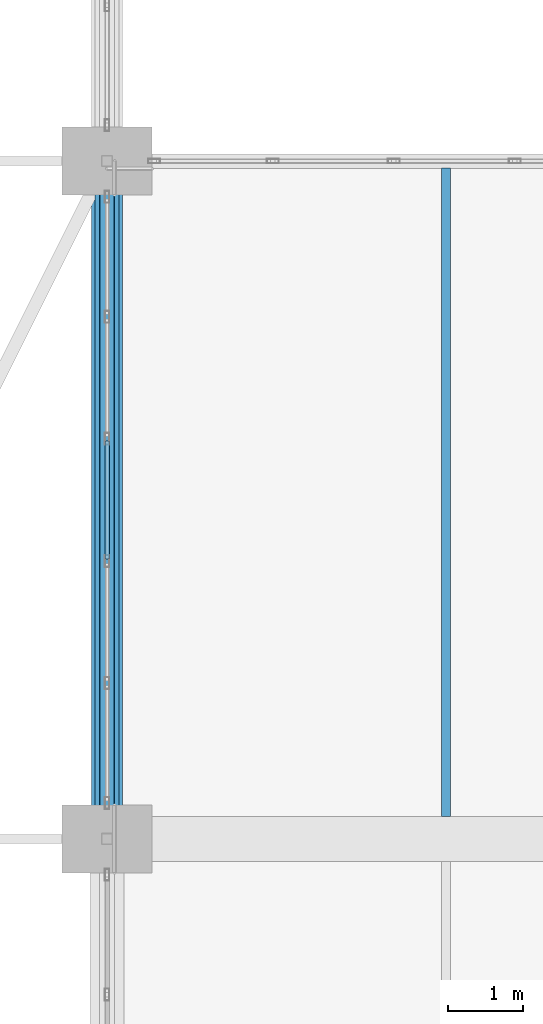
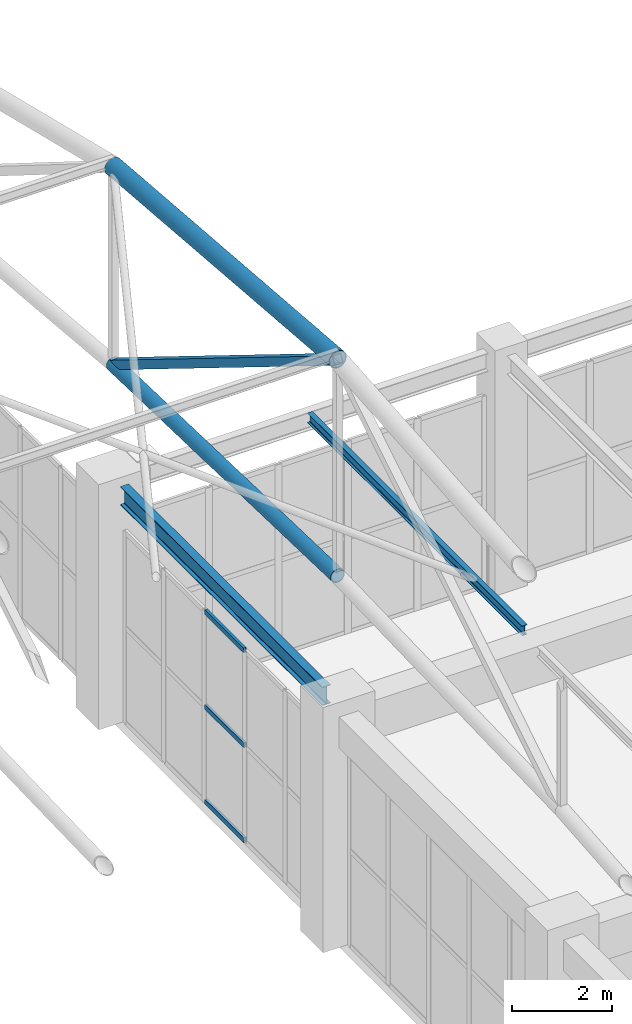
# One storey, part 148 of 223: 6 members, 2 beams, 1 element without a shape of its own.
"""IFC4 building model written with IfcOpenShell, lengths in metres."""

from ifc_helpers import new_model, si_unit, direction, frame, origin, origin_2d, place, context, subcontext, project, spatial, hollow_rectangle, hollow_circle, i_section, extrude, material, layer, layer_set, material_profile, profile_set, type_object, element, aggregate, save


model = new_model("IFC4")

# Units and contexts
model_context = context("Model", 3, precision=1e-05, world=origin(), true_north=direction((0.0, 1.0)))
body_context = subcontext(model_context, "Body", "Model", "MODEL_VIEW")
ifc_project = project(units=[si_unit("LENGTHUNIT", "METRE"), si_unit("AREAUNIT", "SQUARE_METRE"), si_unit("VOLUMEUNIT", "CUBIC_METRE"), si_unit("PLANEANGLEUNIT", "RADIAN"), si_unit("MASSUNIT", "GRAM", prefix="KILO")], contexts=[model_context])

# Site, building, storey
site_placement = place(None, origin())
site = spatial("IfcSite", under=ifc_project, at=site_placement, CompositionType="ELEMENT")
building_placement = place(site_placement, origin())
building = spatial("IfcBuilding", under=site, at=building_placement, Name="Dornveld Trade and Exhibition Forum", CompositionType="ELEMENT")
storey_placement = place(building_placement, frame((0.0, 0.0, 6.0)))
storey = spatial("IfcBuildingStorey", under=building, at=storey_placement, Name="L01", CompositionType="ELEMENT", Elevation=6.0)

# Beams
ifc_material_1 = material(Name="Steel S355J2", Category="steel")
ifc_material_profile_1 = material_profile(ifc_material_1, i_section(OverallWidth=0.1201171875, OverallDepth=0.239990234375, WebThickness=0.006103515625, FlangeThickness=0.009765625, FilletRadius=0.014892578125, at=origin_2d()), Name="IPE 240")
ifc_profile_set_1 = profile_set([ifc_material_profile_1], Name="Steel S355J2")
beam_type_1 = type_object("IfcBeamType", Name="BM-JOIST-240", PredefinedType="JOIST", material=ifc_profile_set_1)
beam_1_placement = place(storey_placement, frame((175.5, 135.297119140625, 5.659912109375), z_axis=(0.0, 1.0, 0.0), x_axis=(-1.0, 0.0, 0.0)))
element("IfcBeam", 1, at=beam_1_placement, inside=storey, type_object=beam_type_1, Name="L01 secondary joist 1785", PredefinedType="JOIST", context=body_context, shape_type="SweptSolid", body=[
    extrude(i_section(OverallWidth=0.1201171875, OverallDepth=0.239990234375, WebThickness=0.006103515625, FlangeThickness=0.009765625, FilletRadius=0.014892578125, at=origin_2d()), origin(), (0.0, 0.0, 1.0), 8.61083984375),
])
ifc_material_2 = material(Name="Steel S355J2", Category="steel")
ifc_material_profile_2 = material_profile(ifc_material_2, i_section(OverallWidth=0.18994140625, OverallDepth=0.449951171875, WebThickness=0.009521484375, FlangeThickness=0.0146484375, FilletRadius=0.02099609375, at=origin_2d()), Name="IPE 450")
ifc_profile_set_2 = profile_set([ifc_material_profile_2], Name="Steel S355J2")
beam_type_2 = type_object("IfcBeamType", Name="BM-SEC-450", PredefinedType="BEAM", material=ifc_profile_set_2)
beam_2_placement = place(storey_placement, frame((171.0, 135.446044921875, 5.554931640625), z_axis=(0.0, 1.0, 0.0), x_axis=(-1.0, 0.0, 0.0)))
element("IfcBeam", 2, at=beam_2_placement, inside=storey, type_object=beam_type_2, Name="L01 Y-girder 1773", PredefinedType="BEAM", context=body_context, shape_type="SweptSolid", body=[
    extrude(i_section(OverallWidth=0.18994140625, OverallDepth=0.449951171875, WebThickness=0.009521484375, FlangeThickness=0.0146484375, FilletRadius=0.02099609375, at=origin_2d()), origin(), (0.0, 0.0, 1.0), 8.10791015625),
])

# Curtain wall, members
ifc_material_3 = material(Name="Dark-bronze anodised aluminium and low-E glass", Category="aluminium")
ifc_layer = layer(ifc_material_3, 0.180908203125)
ifc_layer_set = layer_set([ifc_layer], Name="Dark-bronze anodised aluminium and low-E glass")
curtain_wall_type = type_object("IfcCurtainWallType", Name="CW-SYS-13", PredefinedType="USERDEFINED", material=ifc_layer_set)
curtain_wall_placement = place(storey_placement, origin())
curtain_wall = element("IfcCurtainWall", 3, at=curtain_wall_placement, inside=storey, type_object=curtain_wall_type, Name="L01 unitised curtain wall 13", ObjectType="UNITISED_CURTAIN_WALL", PredefinedType="USERDEFINED")
ifc_material_4 = material(Name="Dark-bronze anodised aluminium", Category="aluminium")
ifc_material_profile_3 = material_profile(ifc_material_4, hollow_rectangle(XDim=0.06005859375, YDim=0.1201171875, WallThickness=0.00390625, at=origin_2d()), Name="RHS 120x60x4")
ifc_profile_set_3 = profile_set([ifc_material_profile_3], Name="Dark-bronze anodised aluminium")
member_type_1 = type_object("IfcMemberType", Name="CW-TRN-120", PredefinedType="USERDEFINED", material=ifc_profile_set_3)
member_1_placement = place(storey_placement, frame((171.0, 138.71923828125, 0.02587890625), z_axis=(0.0, 1.0, 0.0), x_axis=(-1.0, 0.0, 0.0)))
member_1 = element("IfcMember", 4, at=member_1_placement, type_object=member_type_1, Name="CW-13 transom 3.1", ObjectType="TRANSOM", PredefinedType="USERDEFINED", context=body_context, shape_type="SweptSolid", body=[
    extrude(hollow_rectangle(XDim=0.06005859375, YDim=0.1201171875, WallThickness=0.00390625, at=origin_2d()), origin(), (0.0, 0.0, 1.0), 1.5615234375),
])
member_2_placement = place(storey_placement, frame((171.0, 138.71923828125, 2.347900390625), z_axis=(0.0, 1.0, 0.0), x_axis=(-1.0, 0.0, 0.0)))
member_2 = element("IfcMember", 5, at=member_2_placement, type_object=member_type_1, Name="CW-13 transom 3.2", ObjectType="TRANSOM", PredefinedType="USERDEFINED", context=body_context, shape_type="SweptSolid", body=[
    extrude(hollow_rectangle(XDim=0.06005859375, YDim=0.1201171875, WallThickness=0.00390625, at=origin_2d()), origin(), (0.0, 0.0, 1.0), 1.5615234375),
])
member_3_placement = place(storey_placement, frame((171.0, 138.71923828125, 4.669921875), z_axis=(0.0, 1.0, 0.0), x_axis=(-1.0, 0.0, 0.0)))
member_3 = element("IfcMember", 6, at=member_3_placement, type_object=member_type_1, Name="CW-13 transom 3.3", ObjectType="TRANSOM", PredefinedType="USERDEFINED", context=body_context, shape_type="SweptSolid", body=[
    extrude(hollow_rectangle(XDim=0.06005859375, YDim=0.1201171875, WallThickness=0.00390625, at=origin_2d()), origin(), (0.0, 0.0, 1.0), 1.5615234375),
])
aggregate(curtain_wall, [member_1, member_2, member_3])

# Members
ifc_material_5 = material(Name="Steel S355J2", Category="steel")
ifc_material_profile_4 = material_profile(ifc_material_5, hollow_circle(Radius=0.161865234375, WallThickness=0.01611328125, at=origin_2d()), Name="CHS 323.9x16")
ifc_profile_set_4 = profile_set([ifc_material_profile_4], Name="Steel S355J2")
member_type_2 = type_object("IfcMemberType", Name="MEM-ARCH-BC", PredefinedType="CHORD", material=ifc_profile_set_4)
member_4_placement = place(storey_placement, frame((171.0, 135.0, 8.75), z_axis=(0.0, 0.999561545365, -0.029609407757), x_axis=(-1.0, 0.0, 0.0)))
element("IfcMember", 7, at=member_4_placement, inside=storey, type_object=member_type_2, Name="H1 truss 9 tie chord 4", PredefinedType="CHORD", context=body_context, shape_type="SweptSolid", body=[
    extrude(hollow_circle(Radius=0.161865234375, WallThickness=0.01611328125, at=origin_2d()), origin(), (0.0, 0.0, 1.0), 9.00390625),
])
ifc_material_6 = material(Name="Steel S355J2", Category="steel")
ifc_material_profile_5 = material_profile(ifc_material_6, hollow_circle(Radius=0.203125, WallThickness=0.02001953125, at=origin_2d()), Name="CHS 406.4x20")
ifc_profile_set_5 = profile_set([ifc_material_profile_5], Name="Steel S355J2")
member_type_3 = type_object("IfcMemberType", Name="MEM-ARCH-TC", PredefinedType="CHORD", material=ifc_profile_set_5)
member_5_placement = place(storey_placement, frame((171.0, 135.0, 14.050048828125), z_axis=(0.0, 0.996696239312, -0.081219496064), x_axis=(-1.0, 0.0, 0.0)))
element("IfcMember", 8, at=member_5_placement, inside=storey, type_object=member_type_3, Name="H1 truss 9 top chord 4", PredefinedType="CHORD", context=body_context, shape_type="SweptSolid", body=[
    extrude(hollow_circle(Radius=0.203125, WallThickness=0.02001953125, at=origin_2d()), origin(), (0.0, 0.0, 1.0), 9.02978515625),
])
ifc_material_7 = material(Name="Steel S355J2", Category="steel")
ifc_material_profile_6 = material_profile(ifc_material_7, hollow_rectangle(XDim=0.199951171875, YDim=0.199951171875, WallThickness=0.010009765625, at=origin_2d()), Name="SHS 200x200x10")
ifc_profile_set_6 = profile_set([ifc_material_profile_6], Name="Steel S355J2")
member_type_4 = type_object("IfcMemberType", Name="MEM-ARCH-WEB", PredefinedType="BRACE", material=ifc_profile_set_6)
member_6_placement = place(storey_placement, frame((171.0, 144.0, 8.4833984375), z_axis=(0.0, -0.850467158024, 0.526028148603), x_axis=(1.0, 0.0, 0.0)))
element("IfcMember", 9, at=member_6_placement, inside=storey, type_object=member_type_4, Name="H1 truss 9 web 4", PredefinedType="BRACE", context=body_context, shape_type="SweptSolid", body=[
    extrude(hollow_rectangle(XDim=0.199951171875, YDim=0.199951171875, WallThickness=0.010009765625, at=origin_2d()), origin(), (0.0, 0.0, 1.0), 10.58251953125),
])

save(model, "model.ifc")
